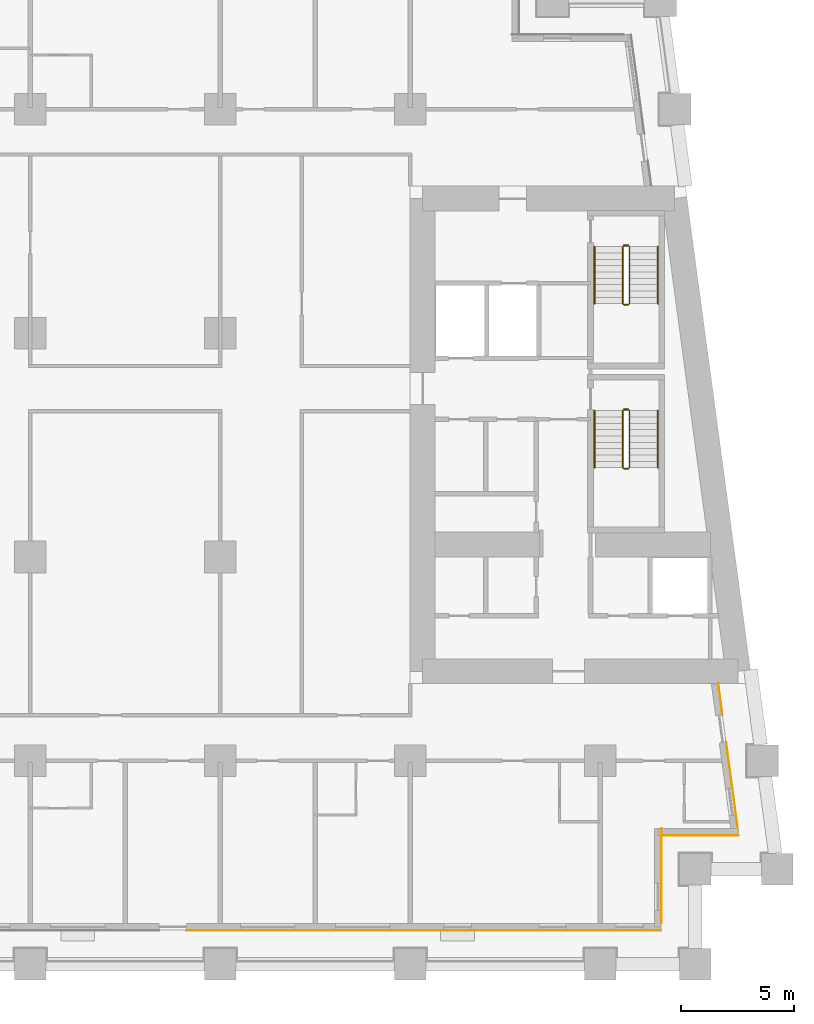
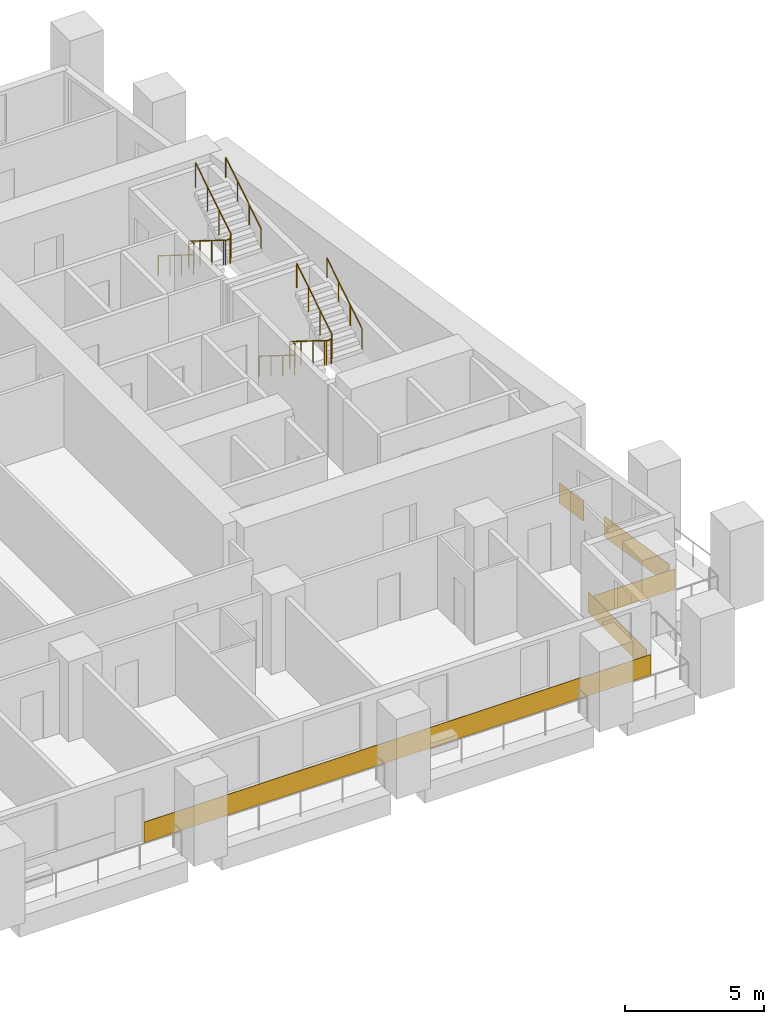
# One storey, part 10 of 12: 8 railings, 5 coverings.
"""IFC4 building model written with IfcOpenShell, lengths in metres."""

from ifc_helpers import new_model, si_unit, direction, frame, origin, origin_2d, place, context, subcontext, project, spatial, rectangle, circle, extrude, material, layer, layer_set, type_object, element, save


model = new_model("IFC4")

# Units and contexts
model_context = context("Model", 3, precision=1e-05, world=origin(), true_north=direction((0.0, 1.0)))
body_context = subcontext(model_context, "Body", "Model", "MODEL_VIEW")
ifc_project = project(units=[si_unit("LENGTHUNIT", "METRE"), si_unit("AREAUNIT", "SQUARE_METRE"), si_unit("VOLUMEUNIT", "CUBIC_METRE"), si_unit("PLANEANGLEUNIT", "RADIAN"), si_unit("MASSUNIT", "GRAM", prefix="KILO")], contexts=[model_context])

# Site, building, storey
site_placement = place(None, origin())
site = spatial("IfcSite", under=ifc_project, at=site_placement, CompositionType="ELEMENT")
building_placement = place(site_placement, origin())
building = spatial("IfcBuilding", under=site, at=building_placement, Name="Candeia Pilgrim Tower and Theatre", CompositionType="ELEMENT")
storey_placement = place(building_placement, frame((0.0, 0.0, 53.0)))
storey = spatial("IfcBuildingStorey", under=building, at=storey_placement, Name="L10", CompositionType="ELEMENT", Elevation=53.0)

# Coverings
ifc_material_1 = material(Name="Glazed ceramic tile deep red")
ifc_layer = layer(ifc_material_1, 0.02001953125)
ifc_layer_set = layer_set([ifc_layer], Name="Glazed ceramic tile deep red")
covering_type = type_object("IfcCoveringType", Name="Glazed ceramic tile deep red", PredefinedType="CLADDING", material=ifc_layer_set)
covering_1_placement = place(storey_placement, frame((126.60009765625, 99.489990234375, 0.0), z_axis=(0.0, 0.0, 1.0), x_axis=(1.0, 0.0, 0.0)))
element("IfcCovering", 1, at=covering_1_placement, inside=storey, type_object=covering_type, Name="Tile cladding deep red L10", PredefinedType="CLADDING", context=body_context, shape_type="SweptSolid", body=[
    extrude(rectangle(XDim=21.0, YDim=0.02001953125, at=origin_2d()), origin(), (0.0, 0.0, 1.0), 0.89990234375),
])
covering_2_placement = place(storey_placement, frame((137.110107421875, 101.909912109375, 0.0), z_axis=(0.0, 0.0, 1.0), x_axis=(0.0, 1.0, 0.0)))
element("IfcCovering", 2, at=covering_2_placement, inside=storey, type_object=covering_type, Name="Tile cladding deep red L10", PredefinedType="CLADDING", context=body_context, shape_type="SweptSolid", body=[
    extrude(rectangle(XDim=4.179931640625, YDim=0.02001953125, at=origin_2d()), origin(), (0.0, 0.0, 1.0), 0.89990234375),
])
covering_3_placement = place(storey_placement, frame((138.819580078125, 103.68994140625, 0.0), z_axis=(0.0, 0.0, 1.0), x_axis=(1.0, 0.0, 0.0)))
element("IfcCovering", 3, at=covering_3_placement, inside=storey, type_object=covering_type, Name="Tile cladding deep red L10", PredefinedType="CLADDING", context=body_context, shape_type="SweptSolid", body=[
    extrude(rectangle(XDim=3.399169921875, YDim=0.02001953125, at=origin_2d()), origin(), (0.0, 0.0, 1.0), 0.89990234375),
])
covering_4_placement = place(storey_placement, frame((140.228515625, 105.933349609375, 0.0), z_axis=(0.0, 0.0, 1.0), x_axis=(-0.133412012145, 0.991060661622, 0.0)))
element("IfcCovering", 4, at=covering_4_placement, inside=storey, type_object=covering_type, Name="Tile cladding deep red L10", PredefinedType="CLADDING", context=body_context, shape_type="SweptSolid", body=[
    extrude(rectangle(XDim=3.821044921875, YDim=0.02001953125, at=origin_2d()), origin(), (0.0, 0.0, 1.0), 0.89990234375),
])
covering_5_placement = place(storey_placement, frame((139.718994140625, 109.71875, 0.0), z_axis=(0.0, 0.0, 1.0), x_axis=(-0.133412012145, 0.991060661622, 0.0)))
element("IfcCovering", 5, at=covering_5_placement, inside=storey, type_object=covering_type, Name="Tile cladding deep red L10", PredefinedType="CLADDING", context=body_context, shape_type="SweptSolid", body=[
    extrude(rectangle(XDim=1.41796875, YDim=0.02001953125, at=origin_2d()), origin(), (0.0, 0.0, 1.0), 0.89990234375),
])

# Railings
ifc_material_2 = material(Name="Stainless steel balustrade", Category="steel")
railing_type_1 = type_object("IfcRailingType", Name="RL-GUARD-1100", PredefinedType="GUARDRAIL", material=ifc_material_2)
railing_1_placement = place(storey_placement, frame((135.39794921875, 122.47509765625, 0.175048828125)))
element("IfcRailing", 6, at=railing_1_placement, inside=storey, type_object=railing_type_1, Name="L10 ST3 stair guard 1", PredefinedType="GUARDRAIL", context=body_context, shape_type="SweptSolid", body=[
    extrude(circle(Radius=0.02392578125, at=origin_2d()), frame((0.0, 0.0, 1.076171875), z_axis=(0.0, -0.848007534815, 0.529984170421), x_axis=(1.0, 0.0, 0.0)), (0.0, 0.0, 1.0), 2.9716796875),
    extrude(circle(Radius=0.02392578125, at=origin_2d()), frame((0.0, -2.52001953125, 2.65087890625), z_axis=(0.707106781187, -0.707106781187, 0.0), x_axis=(0.707106781187, 0.707106781187, 0.0)), (0.0, 0.0, 1.0), 0.07080078125),
    extrude(circle(Radius=0.02392578125, at=origin_2d()), frame((0.050048828125, -2.570068359375, 2.65087890625), z_axis=(1.0, 0.0, 0.0), x_axis=(0.0, 1.0, 0.0)), (0.0, 0.0, 1.0), 0.199951171875),
    extrude(circle(Radius=0.02392578125, at=origin_2d()), frame((0.25, -2.570068359375, 2.65087890625), z_axis=(0.265065253269, 0.265065253269, 0.927081885822), x_axis=(-0.707106781187, 0.707106781187, 0.0)), (0.0, 0.0, 1.0), 0.188720703125),
    extrude(circle(Radius=0.02392578125, at=origin_2d()), frame((0.300048828125, -2.52001953125, 2.826171875), z_axis=(0.0, 0.848007534815, 0.529984170421), x_axis=(-1.0, 0.0, 0.0)), (0.0, 0.0, 1.0), 2.9716796875),
    extrude(circle(Radius=0.02099609375, at=origin_2d()), origin(), (0.0, 0.0, 1.0), 1.052001953125),
    extrude(circle(Radius=0.02099609375, at=origin_2d()), frame((0.0, -0.840087890625, 0.52490234375)), (0.0, 0.0, 1.0), 1.052001953125),
    extrude(circle(Radius=0.02099609375, at=origin_2d()), frame((0.0, -1.679931640625, 1.050048828125)), (0.0, 0.0, 1.0), 1.052001953125),
    extrude(circle(Radius=0.02099609375, at=origin_2d()), frame((0.0, -2.52001953125, 1.574951171875)), (0.0, 0.0, 1.0), 1.052001953125),
    extrude(circle(Radius=0.02099609375, at=origin_2d()), frame((0.050048828125, -2.570068359375, 1.574951171875)), (0.0, 0.0, 1.0), 1.052001953125),
    extrude(circle(Radius=0.02099609375, at=origin_2d()), frame((0.25, -2.570068359375, 1.574951171875)), (0.0, 0.0, 1.0), 1.052001953125),
    extrude(circle(Radius=0.02099609375, at=origin_2d()), frame((0.300048828125, -2.52001953125, 1.75)), (0.0, 0.0, 1.0), 1.052001953125),
    extrude(circle(Radius=0.02099609375, at=origin_2d()), frame((0.300048828125, -1.679931640625, 2.27490234375)), (0.0, 0.0, 1.0), 1.052001953125),
    extrude(circle(Radius=0.02099609375, at=origin_2d()), frame((0.300048828125, -0.840087890625, 2.800048828125)), (0.0, 0.0, 1.0), 1.052001953125),
    extrude(circle(Radius=0.02099609375, at=origin_2d()), frame((0.300048828125, 0.0, 3.324951171875)), (0.0, 0.0, 1.0), 1.052001953125),
])
railing_2_placement = place(storey_placement, frame((135.447998046875, 122.52490234375, 0.0)))
element("IfcRailing", 7, at=railing_2_placement, inside=storey, type_object=railing_type_1, Name="L10 ST3 stair guard 2", PredefinedType="GUARDRAIL", context=body_context, shape_type="SweptSolid", body=[
    extrude(circle(Radius=0.02392578125, at=origin_2d()), frame((0.0, 0.0, 1.076171875), z_axis=(1.0, 0.0, 0.0), x_axis=(0.0, 1.0, 0.0)), (0.0, 0.0, 1.0), 0.199951171875),
    extrude(circle(Radius=0.02099609375, at=origin_2d()), origin(), (0.0, 0.0, 1.0), 1.052001953125),
    extrude(circle(Radius=0.02099609375, at=origin_2d()), frame((0.199951171875, 0.0, 0.0)), (0.0, 0.0, 1.0), 1.052001953125),
])
railing_3_placement = place(storey_placement, frame((135.39794921875, 129.72509765625, 0.175048828125)))
element("IfcRailing", 8, at=railing_3_placement, inside=storey, type_object=railing_type_1, Name="L10 ST4 stair guard 1", PredefinedType="GUARDRAIL", context=body_context, shape_type="SweptSolid", body=[
    extrude(circle(Radius=0.02392578125, at=origin_2d()), frame((0.0, 0.0, 1.076171875), z_axis=(0.0, -0.848007534815, 0.529984170421), x_axis=(1.0, 0.0, 0.0)), (0.0, 0.0, 1.0), 2.9716796875),
    extrude(circle(Radius=0.02392578125, at=origin_2d()), frame((0.0, -2.52001953125, 2.65087890625), z_axis=(0.707106781187, -0.707106781187, 0.0), x_axis=(0.707106781187, 0.707106781187, 0.0)), (0.0, 0.0, 1.0), 0.07080078125),
    extrude(circle(Radius=0.02392578125, at=origin_2d()), frame((0.050048828125, -2.570068359375, 2.65087890625), z_axis=(1.0, 0.0, 0.0), x_axis=(0.0, 1.0, 0.0)), (0.0, 0.0, 1.0), 0.199951171875),
    extrude(circle(Radius=0.02392578125, at=origin_2d()), frame((0.25, -2.570068359375, 2.65087890625), z_axis=(0.265065253269, 0.265065253269, 0.927081885822), x_axis=(-0.707106781187, 0.707106781187, 0.0)), (0.0, 0.0, 1.0), 0.188720703125),
    extrude(circle(Radius=0.02392578125, at=origin_2d()), frame((0.300048828125, -2.52001953125, 2.826171875), z_axis=(0.0, 0.848007534815, 0.529984170421), x_axis=(-1.0, 0.0, 0.0)), (0.0, 0.0, 1.0), 2.9716796875),
    extrude(circle(Radius=0.02099609375, at=origin_2d()), origin(), (0.0, 0.0, 1.0), 1.052001953125),
    extrude(circle(Radius=0.02099609375, at=origin_2d()), frame((0.0, -0.840087890625, 0.52490234375)), (0.0, 0.0, 1.0), 1.052001953125),
    extrude(circle(Radius=0.02099609375, at=origin_2d()), frame((0.0, -1.679931640625, 1.050048828125)), (0.0, 0.0, 1.0), 1.052001953125),
    extrude(circle(Radius=0.02099609375, at=origin_2d()), frame((0.0, -2.52001953125, 1.574951171875)), (0.0, 0.0, 1.0), 1.052001953125),
    extrude(circle(Radius=0.02099609375, at=origin_2d()), frame((0.050048828125, -2.570068359375, 1.574951171875)), (0.0, 0.0, 1.0), 1.052001953125),
    extrude(circle(Radius=0.02099609375, at=origin_2d()), frame((0.25, -2.570068359375, 1.574951171875)), (0.0, 0.0, 1.0), 1.052001953125),
    extrude(circle(Radius=0.02099609375, at=origin_2d()), frame((0.300048828125, -2.52001953125, 1.75)), (0.0, 0.0, 1.0), 1.052001953125),
    extrude(circle(Radius=0.02099609375, at=origin_2d()), frame((0.300048828125, -1.679931640625, 2.27490234375)), (0.0, 0.0, 1.0), 1.052001953125),
    extrude(circle(Radius=0.02099609375, at=origin_2d()), frame((0.300048828125, -0.840087890625, 2.800048828125)), (0.0, 0.0, 1.0), 1.052001953125),
    extrude(circle(Radius=0.02099609375, at=origin_2d()), frame((0.300048828125, 0.0, 3.324951171875)), (0.0, 0.0, 1.0), 1.052001953125),
])
railing_4_placement = place(storey_placement, frame((135.447998046875, 129.77490234375, 0.0)))
element("IfcRailing", 9, at=railing_4_placement, inside=storey, type_object=railing_type_1, Name="L10 ST4 stair guard 2", PredefinedType="GUARDRAIL", context=body_context, shape_type="SweptSolid", body=[
    extrude(circle(Radius=0.02392578125, at=origin_2d()), frame((0.0, 0.0, 1.076171875), z_axis=(1.0, 0.0, 0.0), x_axis=(0.0, 1.0, 0.0)), (0.0, 0.0, 1.0), 0.199951171875),
    extrude(circle(Radius=0.02099609375, at=origin_2d()), origin(), (0.0, 0.0, 1.0), 1.052001953125),
    extrude(circle(Radius=0.02099609375, at=origin_2d()), frame((0.199951171875, 0.0, 0.0)), (0.0, 0.0, 1.0), 1.052001953125),
])
ifc_material_3 = material(Name="Stainless steel handrail", Category="steel")
railing_type_2 = type_object("IfcRailingType", Name="RL-HANDRAIL-900", PredefinedType="HANDRAIL", material=ifc_material_3)
railing_5_placement = place(storey_placement, frame((134.14794921875, 122.47509765625, 0.175048828125)))
element("IfcRailing", 10, at=railing_5_placement, inside=storey, type_object=railing_type_2, Name="L10 ST3 stair handrail 1", PredefinedType="HANDRAIL", context=body_context, shape_type="SweptSolid", body=[
    extrude(circle(Radius=0.02392578125, at=origin_2d()), frame((0.0, 0.0, 0.8759765625), z_axis=(0.0, -0.848007534815, 0.529984170421), x_axis=(1.0, 0.0, 0.0)), (0.0, 0.0, 1.0), 2.9716796875),
    extrude(circle(Radius=0.02099609375, at=origin_2d()), origin(), (0.0, 0.0, 1.0), 0.851806640625),
    extrude(circle(Radius=0.02099609375, at=origin_2d()), frame((0.0, -0.840087890625, 0.52490234375)), (0.0, 0.0, 1.0), 0.851806640625),
    extrude(circle(Radius=0.02099609375, at=origin_2d()), frame((0.0, -1.679931640625, 1.050048828125)), (0.0, 0.0, 1.0), 0.851806640625),
    extrude(circle(Radius=0.02099609375, at=origin_2d()), frame((0.0, -2.52001953125, 1.574951171875)), (0.0, 0.0, 1.0), 0.851806640625),
])
railing_6_placement = place(storey_placement, frame((136.947998046875, 119.955078125, 1.925048828125)))
element("IfcRailing", 11, at=railing_6_placement, inside=storey, type_object=railing_type_2, Name="L10 ST3 stair handrail 2", PredefinedType="HANDRAIL", context=body_context, shape_type="SweptSolid", body=[
    extrude(circle(Radius=0.02392578125, at=origin_2d()), frame((0.0, 0.0, 0.8759765625), z_axis=(0.0, 0.848007534815, 0.529984170421), x_axis=(-1.0, 0.0, 0.0)), (0.0, 0.0, 1.0), 2.9716796875),
    extrude(circle(Radius=0.02099609375, at=origin_2d()), origin(), (0.0, 0.0, 1.0), 0.851806640625),
    extrude(circle(Radius=0.02099609375, at=origin_2d()), frame((0.0, 0.840087890625, 0.52490234375)), (0.0, 0.0, 1.0), 0.851806640625),
    extrude(circle(Radius=0.02099609375, at=origin_2d()), frame((0.0, 1.679931640625, 1.050048828125)), (0.0, 0.0, 1.0), 0.851806640625),
    extrude(circle(Radius=0.02099609375, at=origin_2d()), frame((0.0, 2.52001953125, 1.574951171875)), (0.0, 0.0, 1.0), 0.851806640625),
])
railing_7_placement = place(storey_placement, frame((134.14794921875, 129.72509765625, 0.175048828125)))
element("IfcRailing", 12, at=railing_7_placement, inside=storey, type_object=railing_type_2, Name="L10 ST4 stair handrail 1", PredefinedType="HANDRAIL", context=body_context, shape_type="SweptSolid", body=[
    extrude(circle(Radius=0.02392578125, at=origin_2d()), frame((0.0, 0.0, 0.8759765625), z_axis=(0.0, -0.848007534815, 0.529984170421), x_axis=(1.0, 0.0, 0.0)), (0.0, 0.0, 1.0), 2.9716796875),
    extrude(circle(Radius=0.02099609375, at=origin_2d()), origin(), (0.0, 0.0, 1.0), 0.851806640625),
    extrude(circle(Radius=0.02099609375, at=origin_2d()), frame((0.0, -0.840087890625, 0.52490234375)), (0.0, 0.0, 1.0), 0.851806640625),
    extrude(circle(Radius=0.02099609375, at=origin_2d()), frame((0.0, -1.679931640625, 1.050048828125)), (0.0, 0.0, 1.0), 0.851806640625),
    extrude(circle(Radius=0.02099609375, at=origin_2d()), frame((0.0, -2.52001953125, 1.574951171875)), (0.0, 0.0, 1.0), 0.851806640625),
])
railing_8_placement = place(storey_placement, frame((136.947998046875, 127.205078125, 1.925048828125)))
element("IfcRailing", 13, at=railing_8_placement, inside=storey, type_object=railing_type_2, Name="L10 ST4 stair handrail 2", PredefinedType="HANDRAIL", context=body_context, shape_type="SweptSolid", body=[
    extrude(circle(Radius=0.02392578125, at=origin_2d()), frame((0.0, 0.0, 0.8759765625), z_axis=(0.0, 0.848007534815, 0.529984170421), x_axis=(-1.0, 0.0, 0.0)), (0.0, 0.0, 1.0), 2.9716796875),
    extrude(circle(Radius=0.02099609375, at=origin_2d()), origin(), (0.0, 0.0, 1.0), 0.851806640625),
    extrude(circle(Radius=0.02099609375, at=origin_2d()), frame((0.0, 0.840087890625, 0.52490234375)), (0.0, 0.0, 1.0), 0.851806640625),
    extrude(circle(Radius=0.02099609375, at=origin_2d()), frame((0.0, 1.679931640625, 1.050048828125)), (0.0, 0.0, 1.0), 0.851806640625),
    extrude(circle(Radius=0.02099609375, at=origin_2d()), frame((0.0, 2.52001953125, 1.574951171875)), (0.0, 0.0, 1.0), 0.851806640625),
])

save(model, "model.ifc")
